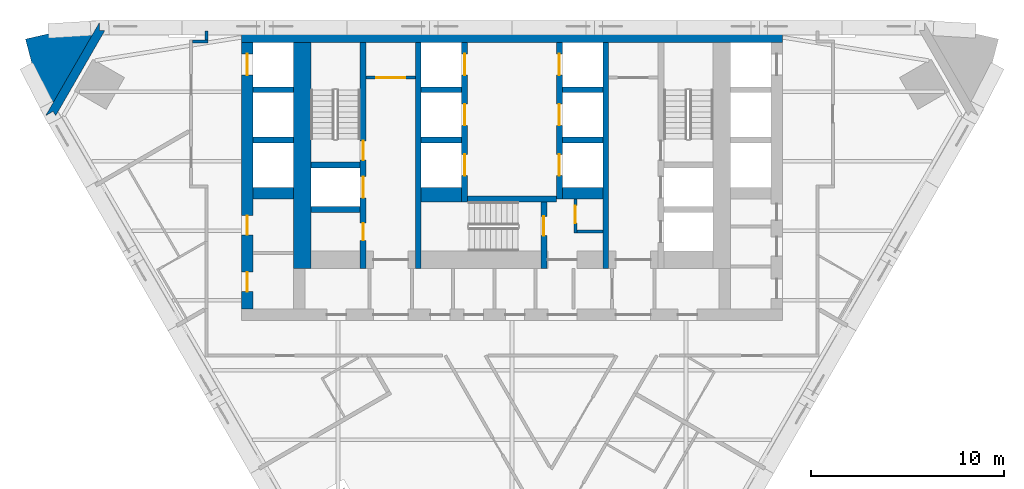
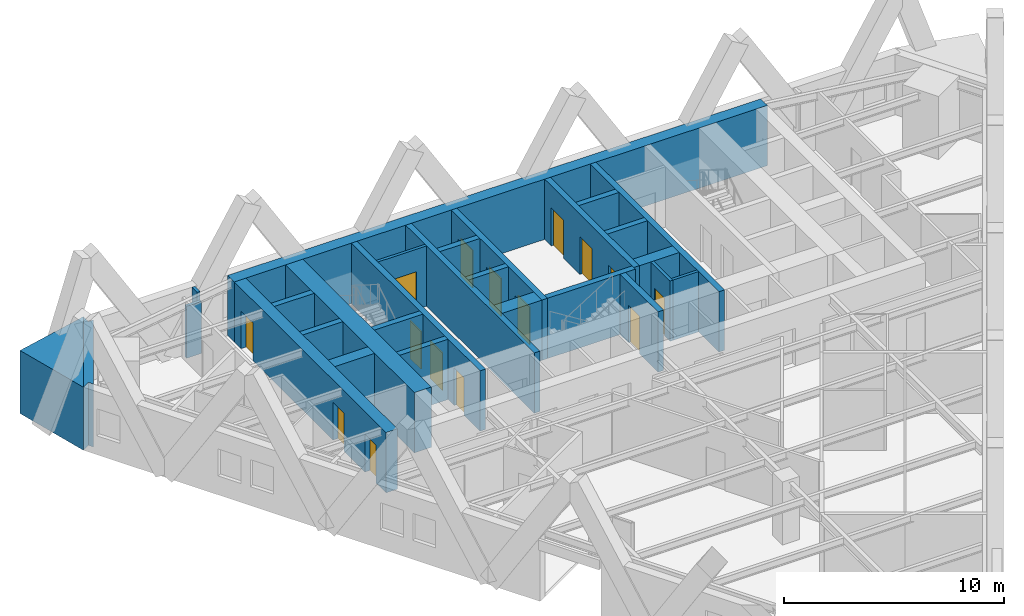
# One storey, part 9 of 12: 28 walls, 15 doors, 15 openings.
"""IFC4 building model written with IfcOpenShell, lengths in metres."""

from ifc_helpers import new_model, si_unit, direction, frame, frame_2d, origin, place, context, subcontext, project, spatial, polyline, rectangle, outline, extrude, material, layer, layer_set, type_object, element, fill, save


model = new_model("IFC4")

# Units and contexts
model_context = context("Model", 3, precision=1e-05, world=origin(), true_north=direction((0.0, 1.0)))
body_context = subcontext(model_context, "Body", "Model", "MODEL_VIEW")
ifc_project = project(units=[si_unit("LENGTHUNIT", "METRE"), si_unit("AREAUNIT", "SQUARE_METRE"), si_unit("VOLUMEUNIT", "CUBIC_METRE"), si_unit("PLANEANGLEUNIT", "RADIAN"), si_unit("MASSUNIT", "GRAM", prefix="KILO")], contexts=[model_context])

# Site, building, storey
site_placement = place(None, origin())
site = spatial("IfcSite", under=ifc_project, at=site_placement, CompositionType="ELEMENT")
building_placement = place(site_placement, origin())
building = spatial("IfcBuilding", under=site, at=building_placement, Name="Aloe Facet Convention Tower", CompositionType="ELEMENT")
storey_placement = place(building_placement, frame((0.0, 0.0, 102.800048828125)))
storey = spatial("IfcBuildingStorey", under=building, at=storey_placement, Name="L25", CompositionType="ELEMENT", Elevation=102.800048828125)

# Wall, opening, door
ifc_material_1 = material(Name="Concrete blockwork partition", Category="masonry")
ifc_layer_1 = layer(ifc_material_1, 0.14990234375)
ifc_layer_set_1 = layer_set([ifc_layer_1], Name="CR-W-PART150")
wall_type_1 = type_object("IfcWallType", Name="CR-W-PART150", PredefinedType="PARTITIONING", material=ifc_layer_set_1)
wall_1_placement = place(storey_placement, frame((72.449951171875, 132.125, 0.0), z_axis=(0.0, 0.0, 1.0), x_axis=(1.0, 0.0, 0.0)))
wall_1 = element("IfcWall", 1, at=wall_1_placement, inside=storey, type_object=wall_type_1, Name="Core partition L25-014", PredefinedType="PARTITIONING", context=body_context, shape_type="SweptSolid", body=[
    extrude(rectangle(XDim=2.550048828125, YDim=0.14990234375, at=frame_2d((1.27490234375, 0.0))), origin(), (0.0, 0.0, 1.0), 3.349853515625),
])
opening_1_placement = place(wall_1_placement, frame((0.52490234375, 0.0, 0.0)))
opening_1 = element("IfcOpeningElement", 2, at=opening_1_placement, cuts=wall_1, Name="Opening L25-CD22", PredefinedType="OPENING", context=body_context, shape_type="SweptSolid", body=[
    extrude(rectangle(XDim=1.5, YDim=2.10009765625, at=frame_2d((0.75, 1.050048828125))), frame((0.0, 0.0849609375, 0.0), z_axis=(0.0, -1.0, 0.0), x_axis=(1.0, 0.0, 0.0)), (0.0, 0.0, 1.0), 0.169921875),
])
ifc_material_2 = material(Name="Steel fire-resisting door set FD60", Category="steel")
door_type_1 = type_object("IfcDoorType", Name="CR-D-REFUGE-1500-FD60-DD", OperationType="DOUBLE_DOOR_DOUBLE_SWING", PredefinedType="DOOR", material=ifc_material_2)
door_1_placement = place(opening_1_placement, origin())
door_1 = element("IfcDoor", 3, at=door_1_placement, inside=storey, type_object=door_type_1, Name="Core door L25-CD22", OperationType="DOUBLE_DOOR_DOUBLE_SWING", OverallHeight=2.10009765625, OverallWidth=1.5, PredefinedType="DOOR", context=body_context, shape_type="SweptSolid", body=[
    extrude(rectangle(XDim=1.5, YDim=2.10009765625, at=frame_2d((0.75, 1.050048828125))), frame((0.0, 0.02490234375, 0.0), z_axis=(0.0, -1.0, 0.0), x_axis=(1.0, 0.0, 0.0)), (0.0, 0.0, 1.0), 0.050048828125),
])
fill(opening_1, door_1)

wall_2_placement = place(storey_placement, frame((83.27490234375, 125.85009765625, 0.0), z_axis=(0.0, 0.0, 1.0), x_axis=(0.0, -1.0, 0.0)))
wall_2 = element("IfcWall", 4, at=wall_2_placement, inside=storey, type_object=wall_type_1, Name="Core partition L25-035", PredefinedType="PARTITIONING", context=body_context, shape_type="SweptSolid", body=[
    extrude(rectangle(XDim=1.75, YDim=0.14990234375, at=frame_2d((0.875, 0.0))), origin(), (0.0, 0.0, 1.0), 3.349853515625),
])
opening_2_placement = place(wall_2_placement, frame((0.35009765625, 0.0, 0.0)))
opening_2 = element("IfcOpeningElement", 5, at=opening_2_placement, cuts=wall_2, Name="Opening L25-CD20", PredefinedType="OPENING", context=body_context, shape_type="SweptSolid", body=[
    extrude(rectangle(XDim=0.89990234375, YDim=2.10009765625, at=frame_2d((0.449951171875, 1.050048828125))), frame((0.0, 0.0849609375, 0.0), z_axis=(0.0, -1.0, 0.0), x_axis=(1.0, 0.0, 0.0)), (0.0, 0.0, 1.0), 0.169921875),
])
ifc_material_3 = material(Name="Steel fire-resisting door set FD60", Category="steel")
door_type_2 = type_object("IfcDoorType", Name="CR-D-REFUGE-900-FD60-SRIGHT", OperationType="SINGLE_SWING_RIGHT", PredefinedType="DOOR", material=ifc_material_3)
door_2_placement = place(opening_2_placement, origin())
door_2 = element("IfcDoor", 6, at=door_2_placement, inside=storey, type_object=door_type_2, Name="Core door L25-CD20", OperationType="SINGLE_SWING_RIGHT", OverallHeight=2.10009765625, OverallWidth=0.89990234375, PredefinedType="DOOR", context=body_context, shape_type="SweptSolid", body=[
    extrude(rectangle(XDim=0.89990234375, YDim=2.10009765625, at=frame_2d((0.449951171875, 1.050048828125))), frame((0.0, 0.02490234375, 0.0), z_axis=(0.0, -1.0, 0.0), x_axis=(1.0, 0.0, 0.0)), (0.0, 0.0, 1.0), 0.050048828125),
])
fill(opening_2, door_2)

# Walls
wall_3_placement = place(storey_placement, frame((83.35009765625, 124.175048828125, 0.0), z_axis=(0.0, 0.0, 1.0), x_axis=(1.0, 0.0, 0.0)))
element("IfcWall", 7, at=wall_3_placement, inside=storey, type_object=wall_type_1, Name="Core partition L25-036", PredefinedType="PARTITIONING", context=body_context, shape_type="SweptSolid", body=[
    extrude(rectangle(XDim=1.349853515625, YDim=0.14990234375, at=frame_2d((0.6748046875, 0.0))), origin(), (0.0, 0.0, 1.0), 3.349853515625),
])
ifc_material_4 = material(Name="Concrete C70/85", Category="concrete")
ifc_layer_2 = layer(ifc_material_4, 0.300048828125)
ifc_layer_set_2 = layer_set([ifc_layer_2], Name="CR-W-RC300-C7085")
wall_type_2 = type_object("IfcWallType", Name="CR-W-RC300-C7085", PredefinedType="SOLIDWALL", material=ifc_layer_set_2)
for number, where, z_axis, x_axis, name in (
    (8, (66.60009765625, 131.5, 0.0), (0.0, 0.0, 1.0), (1.0, 0.0, 0.0), "Core wall L25-004"),
    (9, (66.60009765625, 128.89990234375, 0.0), (0.0, 0.0, 1.0), (1.0, 0.0, 0.0), "Core wall L25-005"),
):
    element("IfcWall", number, at=place(storey_placement, frame(where, z_axis=z_axis, x_axis=x_axis)), inside=storey, type_object=wall_type_2, Name=name, PredefinedType="SOLIDWALL", context=body_context, shape_type="SweptSolid", body=[
        extrude(rectangle(XDim=2.099853515625, YDim=0.300048828125, at=frame_2d((1.0498046875, 0.0))), origin(), (0.0, 0.0, 1.0), 3.349853515625),
    ])
for number, where, z_axis, x_axis, name in (
    (10, (69.60009765625, 127.60009765625, 0.0), (0.0, 0.0, 1.0), (1.0, 0.0, 0.0), "Core wall L25-010"),
    (11, (69.60009765625, 125.300048828125, 0.0), (0.0, 0.0, 1.0), (1.0, 0.0, 0.0), "Core wall L25-011"),
):
    element("IfcWall", number, at=place(storey_placement, frame(where, z_axis=z_axis, x_axis=x_axis)), inside=storey, type_object=wall_type_2, Name=name, PredefinedType="SOLIDWALL", context=body_context, shape_type="SweptSolid", body=[
        extrude(rectangle(XDim=2.5498046875, YDim=0.300048828125, at=frame_2d((1.27490234375, 0.0))), origin(), (0.0, 0.0, 1.0), 3.349853515625),
    ])

# Wall, openings, doors
wall_4_placement = place(storey_placement, frame((72.300048828125, 133.949951171875, 0.0), z_axis=(0.0, 0.0, 1.0), x_axis=(0.0, -1.0, 0.0)))
wall_4 = element("IfcWall", 12, at=wall_4_placement, inside=storey, type_object=wall_type_2, Name="Core wall L25-013", PredefinedType="SOLIDWALL", context=body_context, shape_type="SweptSolid", body=[
    extrude(rectangle(XDim=11.699951171875, YDim=0.300048828125, at=frame_2d((5.85009765625, 0.0))), origin(), (0.0, 0.0, 1.0), 3.349853515625),
])
opening_3_placement = place(wall_4_placement, frame((6.949951171875, 0.0, 0.0)))
opening_3 = element("IfcOpeningElement", 13, at=opening_3_placement, cuts=wall_4, Name="Opening LD-FF1-L25", PredefinedType="OPENING", context=body_context, shape_type="SweptSolid", body=[
    extrude(rectangle(XDim=1.10009765625, YDim=2.10009765625, at=frame_2d((0.550048828125, 1.050048828125))), frame((0.0, 0.16015625, 0.0), z_axis=(0.0, -1.0, 0.0), x_axis=(1.0, 0.0, 0.0)), (0.0, 0.0, 1.0), 0.320068359375),
])
opening_4_placement = place(wall_4_placement, frame((9.35009765625, 0.0, 0.0)))
opening_4 = element("IfcOpeningElement", 14, at=opening_4_placement, cuts=wall_4, Name="Opening L25-CD23", PredefinedType="OPENING", context=body_context, shape_type="SweptSolid", body=[
    extrude(rectangle(XDim=0.89990234375, YDim=2.10009765625, at=frame_2d((0.449951171875, 1.050048828125))), frame((0.0, 0.16015625, 0.0), z_axis=(0.0, -1.0, 0.0), x_axis=(1.0, 0.0, 0.0)), (0.0, 0.0, 1.0), 0.320068359375),
])
opening_5_placement = place(wall_4_placement, frame((5.10009765625, 0.0, 0.0)))
opening_5 = element("IfcOpeningElement", 15, at=opening_5_placement, cuts=wall_4, Name="Opening L25-CD30", PredefinedType="OPENING", context=body_context, shape_type="SweptSolid", body=[
    extrude(rectangle(XDim=1.0, YDim=2.10009765625, at=frame_2d((0.5, 1.050048828125))), frame((0.0, 0.16015625, 0.0), z_axis=(0.0, -1.0, 0.0), x_axis=(1.0, 0.0, 0.0)), (0.0, 0.0, 1.0), 0.320068359375),
])
ifc_material_5 = material(Name="Steel fire-resisting door set FD60", Category="steel")
door_type_3 = type_object("IfcDoorType", Name="CR-D-ROOM-900-FD60-SLEFT", OperationType="SINGLE_SWING_LEFT", PredefinedType="DOOR", material=ifc_material_5)
door_3_placement = place(opening_4_placement, origin())
door_3 = element("IfcDoor", 16, at=door_3_placement, inside=storey, type_object=door_type_3, Name="Core door L25-CD23", OperationType="SINGLE_SWING_LEFT", OverallHeight=2.10009765625, OverallWidth=0.89990234375, PredefinedType="DOOR", context=body_context, shape_type="SweptSolid", body=[
    extrude(rectangle(XDim=0.89990234375, YDim=2.10009765625, at=frame_2d((0.449951171875, 1.050048828125))), frame((0.0, 0.02490234375, 0.0), z_axis=(0.0, -1.0, 0.0), x_axis=(1.0, 0.0, 0.0)), (0.0, 0.0, 1.0), 0.050048828125),
])
fill(opening_4, door_3)
ifc_material_6 = material(Name="Steel fire-resisting door set FD120", Category="steel")
door_type_4 = type_object("IfcDoorType", Name="CR-D-STAIR-1000-FD120-SRIGHT", OperationType="SINGLE_SWING_RIGHT", PredefinedType="DOOR", material=ifc_material_6)
door_4_placement = place(opening_5_placement, origin())
door_4 = element("IfcDoor", 17, at=door_4_placement, inside=storey, type_object=door_type_4, Name="Core door L25-CD30", OperationType="SINGLE_SWING_RIGHT", OverallHeight=2.10009765625, OverallWidth=1.0, PredefinedType="DOOR", context=body_context, shape_type="SweptSolid", body=[
    extrude(rectangle(XDim=1.0, YDim=2.10009765625, at=frame_2d((0.5, 1.050048828125))), frame((0.0, 0.02490234375, 0.0), z_axis=(0.0, -1.0, 0.0), x_axis=(1.0, 0.0, 0.0)), (0.0, 0.0, 1.0), 0.050048828125),
])
fill(opening_5, door_4)
ifc_material_7 = material(Name="Stainless steel sliding landing door", Category="steel")
door_type_5 = type_object("IfcDoorType", Name="CR-LD-1100-FD120-_LEFT", OperationType="SLIDING_TO_LEFT", PredefinedType="DOOR", material=ifc_material_7)
door_5_placement = place(opening_3_placement, origin())
door_5 = element("IfcDoor", 18, at=door_5_placement, inside=storey, type_object=door_type_5, Name="Landing door FF1 L25", OperationType="SLIDING_TO_LEFT", OverallHeight=2.10009765625, OverallWidth=1.10009765625, PredefinedType="DOOR", context=body_context, shape_type="SweptSolid", body=[
    extrude(rectangle(XDim=1.10009765625, YDim=2.10009765625, at=frame_2d((0.550048828125, 1.050048828125))), frame((0.0, 0.02490234375, 0.0), z_axis=(0.0, -1.0, 0.0), x_axis=(1.0, 0.0, 0.0)), (0.0, 0.0, 1.0), 0.050048828125),
])
fill(opening_3, door_5)

# Walls
wall_5_placement = place(storey_placement, frame((75.14990234375, 133.949951171875, 0.0), z_axis=(0.0, 0.0, 1.0), x_axis=(0.0, -1.0, 0.0)))
element("IfcWall", 19, at=wall_5_placement, inside=storey, type_object=wall_type_2, Name="Core wall L25-018", PredefinedType="SOLIDWALL", context=body_context, shape_type="SweptSolid", body=[
    extrude(rectangle(XDim=11.699951171875, YDim=0.300048828125, at=frame_2d((5.85009765625, 0.0))), origin(), (0.0, 0.0, 1.0), 3.349853515625),
])
for number, where, z_axis, x_axis, name in (
    (20, (75.300048828125, 131.5, 0.0), (0.0, 0.0, 1.0), (1.0, 0.0, 0.0), "Core wall L25-019"),
    (21, (75.300048828125, 128.89990234375, 0.0), (0.0, 0.0, 1.0), (1.0, 0.0, 0.0), "Core wall L25-020"),
):
    element("IfcWall", number, at=place(storey_placement, frame(where, z_axis=z_axis, x_axis=x_axis)), inside=storey, type_object=wall_type_2, Name=name, PredefinedType="SOLIDWALL", context=body_context, shape_type="SweptSolid", body=[
        extrude(rectangle(XDim=2.099853515625, YDim=0.300048828125, at=frame_2d((1.0498046875, 0.0))), origin(), (0.0, 0.0, 1.0), 3.349853515625),
    ])

# Wall, openings, doors
wall_6_placement = place(storey_placement, frame((77.550048828125, 133.949951171875, 0.0), z_axis=(0.0, 0.0, 1.0), x_axis=(0.0, -1.0, 0.0)))
wall_6 = element("IfcWall", 22, at=wall_6_placement, inside=storey, type_object=wall_type_2, Name="Core wall L25-024", PredefinedType="SOLIDWALL", context=body_context, shape_type="SweptSolid", body=[
    extrude(rectangle(XDim=8.25, YDim=0.300048828125, at=frame_2d((4.125, 0.0))), origin(), (0.0, 0.0, 1.0), 3.349853515625),
])
opening_6_placement = place(wall_6_placement, frame((0.60009765625, 0.0, 0.0)))
opening_6 = element("IfcOpeningElement", 23, at=opening_6_placement, cuts=wall_6, Name="Opening LD-A1-L25", PredefinedType="OPENING", context=body_context, shape_type="SweptSolid", body=[
    extrude(rectangle(XDim=1.10009765625, YDim=2.10009765625, at=frame_2d((0.550048828125, 1.050048828125))), frame((0.0, 0.16015625, 0.0), z_axis=(0.0, -1.0, 0.0), x_axis=(1.0, 0.0, 0.0)), (0.0, 0.0, 1.0), 0.320068359375),
])
opening_7_placement = place(wall_6_placement, frame((3.199951171875, 0.0, 0.0)))
opening_7 = element("IfcOpeningElement", 24, at=opening_7_placement, cuts=wall_6, Name="Opening LD-A2-L25", PredefinedType="OPENING", context=body_context, shape_type="SweptSolid", body=[
    extrude(rectangle(XDim=1.10009765625, YDim=2.10009765625, at=frame_2d((0.550048828125, 1.050048828125))), frame((0.0, 0.16015625, 0.0), z_axis=(0.0, -1.0, 0.0), x_axis=(1.0, 0.0, 0.0)), (0.0, 0.0, 1.0), 0.320068359375),
])
opening_8_placement = place(wall_6_placement, frame((5.800048828125, 0.0, 0.0)))
opening_8 = element("IfcOpeningElement", 25, at=opening_8_placement, cuts=wall_6, Name="Opening LD-A3-L25", PredefinedType="OPENING", context=body_context, shape_type="SweptSolid", body=[
    extrude(rectangle(XDim=1.10009765625, YDim=2.10009765625, at=frame_2d((0.550048828125, 1.050048828125))), frame((0.0, 0.16015625, 0.0), z_axis=(0.0, -1.0, 0.0), x_axis=(1.0, 0.0, 0.0)), (0.0, 0.0, 1.0), 0.320068359375),
])
ifc_material_8 = material(Name="Stainless steel sliding landing door", Category="steel")
door_type_6 = type_object("IfcDoorType", Name="CR-LD-1100-FD60-RIGHT", OperationType="SLIDING_TO_RIGHT", PredefinedType="DOOR", material=ifc_material_8)
door_6_placement = place(opening_6_placement, origin())
door_6 = element("IfcDoor", 26, at=door_6_placement, inside=storey, type_object=door_type_6, Name="Landing door A1 L25", OperationType="SLIDING_TO_RIGHT", OverallHeight=2.10009765625, OverallWidth=1.10009765625, PredefinedType="DOOR", context=body_context, shape_type="SweptSolid", body=[
    extrude(rectangle(XDim=1.10009765625, YDim=2.10009765625, at=frame_2d((0.550048828125, 1.050048828125))), frame((0.0, 0.02490234375, 0.0), z_axis=(0.0, -1.0, 0.0), x_axis=(1.0, 0.0, 0.0)), (0.0, 0.0, 1.0), 0.050048828125),
])
fill(opening_6, door_6)
door_7_placement = place(opening_7_placement, origin())
door_7 = element("IfcDoor", 27, at=door_7_placement, inside=storey, type_object=door_type_6, Name="Landing door A2 L25", OperationType="SLIDING_TO_RIGHT", OverallHeight=2.10009765625, OverallWidth=1.10009765625, PredefinedType="DOOR", context=body_context, shape_type="SweptSolid", body=[
    extrude(rectangle(XDim=1.10009765625, YDim=2.10009765625, at=frame_2d((0.550048828125, 1.050048828125))), frame((0.0, 0.02490234375, 0.0), z_axis=(0.0, -1.0, 0.0), x_axis=(1.0, 0.0, 0.0)), (0.0, 0.0, 1.0), 0.050048828125),
])
fill(opening_7, door_7)
door_8_placement = place(opening_8_placement, origin())
door_8 = element("IfcDoor", 28, at=door_8_placement, inside=storey, type_object=door_type_6, Name="Landing door A3 L25", OperationType="SLIDING_TO_RIGHT", OverallHeight=2.10009765625, OverallWidth=1.10009765625, PredefinedType="DOOR", context=body_context, shape_type="SweptSolid", body=[
    extrude(rectangle(XDim=1.10009765625, YDim=2.10009765625, at=frame_2d((0.550048828125, 1.050048828125))), frame((0.0, 0.02490234375, 0.0), z_axis=(0.0, -1.0, 0.0), x_axis=(1.0, 0.0, 0.0)), (0.0, 0.0, 1.0), 0.050048828125),
])
fill(opening_8, door_8)

# Wall
wall_7_placement = place(storey_placement, frame((77.699951171875, 125.85009765625, 0.0), z_axis=(0.0, 0.0, 1.0), x_axis=(1.0, 0.0, 0.0)))
element("IfcWall", 29, at=wall_7_placement, inside=storey, type_object=wall_type_2, Name="Core wall L25-025", PredefinedType="SOLIDWALL", context=body_context, shape_type="SweptSolid", body=[
    extrude(rectangle(XDim=4.60009765625, YDim=0.300048828125, at=frame_2d((2.300048828125, 0.0))), origin(), (0.0, 0.0, 1.0), 3.349853515625),
])

# Wall, opening, door
wall_8_placement = place(storey_placement, frame((81.64990234375, 125.699951171875, 0.0), z_axis=(0.0, 0.0, 1.0), x_axis=(0.0, -1.0, 0.0)))
wall_8 = element("IfcWall", 30, at=wall_8_placement, inside=storey, type_object=wall_type_2, Name="Core wall L25-028", PredefinedType="SOLIDWALL", context=body_context, shape_type="SweptSolid", body=[
    extrude(rectangle(XDim=3.449951171875, YDim=0.300048828125, at=frame_2d((1.72509765625, 0.0))), origin(), (0.0, 0.0, 1.0), 3.349853515625),
])
opening_9_placement = place(wall_8_placement, frame((0.75, 0.0, 0.0)))
opening_9 = element("IfcOpeningElement", 31, at=opening_9_placement, cuts=wall_8, Name="Opening L25-CD32", PredefinedType="OPENING", context=body_context, shape_type="SweptSolid", body=[
    extrude(rectangle(XDim=1.0, YDim=2.10009765625, at=frame_2d((0.5, 1.050048828125))), frame((0.0, 0.16015625, 0.0), z_axis=(0.0, -1.0, 0.0), x_axis=(1.0, 0.0, 0.0)), (0.0, 0.0, 1.0), 0.320068359375),
])
ifc_material_9 = material(Name="Steel fire-resisting door set FD120", Category="steel")
door_type_7 = type_object("IfcDoorType", Name="CR-D-STAIR-1000-FD120-SLEFT", OperationType="SINGLE_SWING_LEFT", PredefinedType="DOOR", material=ifc_material_9)
door_9_placement = place(opening_9_placement, origin())
door_9 = element("IfcDoor", 32, at=door_9_placement, inside=storey, type_object=door_type_7, Name="Core door L25-CD32", OperationType="SINGLE_SWING_LEFT", OverallHeight=2.10009765625, OverallWidth=1.0, PredefinedType="DOOR", context=body_context, shape_type="SweptSolid", body=[
    extrude(rectangle(XDim=1.0, YDim=2.10009765625, at=frame_2d((0.5, 1.050048828125))), frame((0.0, 0.02490234375, 0.0), z_axis=(0.0, -1.0, 0.0), x_axis=(1.0, 0.0, 0.0)), (0.0, 0.0, 1.0), 0.050048828125),
])
fill(opening_9, door_9)

# Wall, openings, doors
wall_9_placement = place(storey_placement, frame((82.449951171875, 133.949951171875, 0.0), z_axis=(0.0, 0.0, 1.0), x_axis=(0.0, -1.0, 0.0)))
wall_9 = element("IfcWall", 33, at=wall_9_placement, inside=storey, type_object=wall_type_2, Name="Core wall L25-030", PredefinedType="SOLIDWALL", context=body_context, shape_type="SweptSolid", body=[
    extrude(rectangle(XDim=8.099853515625, YDim=0.300048828125, at=frame_2d((4.0498046875, 0.0))), origin(), (0.0, 0.0, 1.0), 3.349853515625),
])
opening_10_placement = place(wall_9_placement, frame((0.60009765625, 0.0, 0.0)))
opening_10 = element("IfcOpeningElement", 34, at=opening_10_placement, cuts=wall_9, Name="Opening LD-A4-L25", PredefinedType="OPENING", context=body_context, shape_type="SweptSolid", body=[
    extrude(rectangle(XDim=1.10009765625, YDim=2.10009765625, at=frame_2d((0.550048828125, 1.050048828125))), frame((0.0, 0.16015625, 0.0), z_axis=(0.0, -1.0, 0.0), x_axis=(1.0, 0.0, 0.0)), (0.0, 0.0, 1.0), 0.320068359375),
])
opening_11_placement = place(wall_9_placement, frame((3.199951171875, 0.0, 0.0)))
opening_11 = element("IfcOpeningElement", 35, at=opening_11_placement, cuts=wall_9, Name="Opening LD-A5-L25", PredefinedType="OPENING", context=body_context, shape_type="SweptSolid", body=[
    extrude(rectangle(XDim=1.10009765625, YDim=2.10009765625, at=frame_2d((0.550048828125, 1.050048828125))), frame((0.0, 0.16015625, 0.0), z_axis=(0.0, -1.0, 0.0), x_axis=(1.0, 0.0, 0.0)), (0.0, 0.0, 1.0), 0.320068359375),
])
opening_12_placement = place(wall_9_placement, frame((5.800048828125, 0.0, 0.0)))
opening_12 = element("IfcOpeningElement", 36, at=opening_12_placement, cuts=wall_9, Name="Opening LD-A6-L25", PredefinedType="OPENING", context=body_context, shape_type="SweptSolid", body=[
    extrude(rectangle(XDim=1.10009765625, YDim=2.10009765625, at=frame_2d((0.550048828125, 1.050048828125))), frame((0.0, 0.16015625, 0.0), z_axis=(0.0, -1.0, 0.0), x_axis=(1.0, 0.0, 0.0)), (0.0, 0.0, 1.0), 0.320068359375),
])
ifc_material_10 = material(Name="Stainless steel sliding landing door", Category="steel")
door_type_8 = type_object("IfcDoorType", Name="CR-LD-1100-FD60-_LEFT", OperationType="SLIDING_TO_LEFT", PredefinedType="DOOR", material=ifc_material_10)
door_10_placement = place(opening_10_placement, origin())
door_10 = element("IfcDoor", 37, at=door_10_placement, inside=storey, type_object=door_type_8, Name="Landing door A4 L25", OperationType="SLIDING_TO_LEFT", OverallHeight=2.10009765625, OverallWidth=1.10009765625, PredefinedType="DOOR", context=body_context, shape_type="SweptSolid", body=[
    extrude(rectangle(XDim=1.10009765625, YDim=2.10009765625, at=frame_2d((0.550048828125, 1.050048828125))), frame((0.0, 0.02490234375, 0.0), z_axis=(0.0, -1.0, 0.0), x_axis=(1.0, 0.0, 0.0)), (0.0, 0.0, 1.0), 0.050048828125),
])
fill(opening_10, door_10)
door_11_placement = place(opening_11_placement, origin())
door_11 = element("IfcDoor", 38, at=door_11_placement, inside=storey, type_object=door_type_8, Name="Landing door A5 L25", OperationType="SLIDING_TO_LEFT", OverallHeight=2.10009765625, OverallWidth=1.10009765625, PredefinedType="DOOR", context=body_context, shape_type="SweptSolid", body=[
    extrude(rectangle(XDim=1.10009765625, YDim=2.10009765625, at=frame_2d((0.550048828125, 1.050048828125))), frame((0.0, 0.02490234375, 0.0), z_axis=(0.0, -1.0, 0.0), x_axis=(1.0, 0.0, 0.0)), (0.0, 0.0, 1.0), 0.050048828125),
])
fill(opening_11, door_11)
door_12_placement = place(opening_12_placement, origin())
door_12 = element("IfcDoor", 39, at=door_12_placement, inside=storey, type_object=door_type_8, Name="Landing door A6 L25", OperationType="SLIDING_TO_LEFT", OverallHeight=2.10009765625, OverallWidth=1.10009765625, PredefinedType="DOOR", context=body_context, shape_type="SweptSolid", body=[
    extrude(rectangle(XDim=1.10009765625, YDim=2.10009765625, at=frame_2d((0.550048828125, 1.050048828125))), frame((0.0, 0.02490234375, 0.0), z_axis=(0.0, -1.0, 0.0), x_axis=(1.0, 0.0, 0.0)), (0.0, 0.0, 1.0), 0.050048828125),
])
fill(opening_12, door_12)

# Walls
for number, where, z_axis, x_axis, name in (
    (40, (82.60009765625, 131.5, 0.0), (0.0, 0.0, 1.0), (1.0, 0.0, 0.0), "Core wall L25-031"),
    (41, (82.60009765625, 128.89990234375, 0.0), (0.0, 0.0, 1.0), (1.0, 0.0, 0.0), "Core wall L25-032"),
):
    element("IfcWall", number, at=place(storey_placement, frame(where, z_axis=z_axis, x_axis=x_axis)), inside=storey, type_object=wall_type_2, Name=name, PredefinedType="SOLIDWALL", context=body_context, shape_type="SweptSolid", body=[
        extrude(rectangle(XDim=2.099853515625, YDim=0.300048828125, at=frame_2d((1.0498046875, 0.0))), origin(), (0.0, 0.0, 1.0), 3.349853515625),
    ])
wall_10_placement = place(storey_placement, frame((84.85009765625, 133.949951171875, 0.0), z_axis=(0.0, 0.0, 1.0), x_axis=(0.0, -1.0, 0.0)))
element("IfcWall", 42, at=wall_10_placement, inside=storey, type_object=wall_type_2, Name="Core wall L25-037", PredefinedType="SOLIDWALL", context=body_context, shape_type="SweptSolid", body=[
    extrude(rectangle(XDim=11.699951171875, YDim=0.300048828125, at=frame_2d((5.85009765625, 0.0))), origin(), (0.0, 0.0, 1.0), 3.349853515625),
])
ifc_material_11 = material(Name="Concrete C70/85", Category="concrete")
ifc_layer_3 = layer(ifc_material_11, 0.60009765625)
ifc_layer_set_3 = layer_set([ifc_layer_3], Name="CR-W-RC600-C7085")
wall_type_3 = type_object("IfcWallType", Name="CR-W-RC600-C7085", PredefinedType="SOLIDWALL", material=ifc_layer_set_3)
wall_11_placement = place(storey_placement, frame((66.0, 134.25, 0.0), z_axis=(0.0, 0.0, 1.0), x_axis=(1.0, 0.0, 0.0)))
element("IfcWall", 43, at=wall_11_placement, inside=storey, type_object=wall_type_3, Name="Core wall L25-001", PredefinedType="SOLIDWALL", context=body_context, shape_type="SweptSolid", body=[
    extrude(rectangle(XDim=28.0, YDim=0.60009765625, at=frame_2d((14.0, 0.0))), origin(), (0.0, 0.0, 1.0), 3.349853515625),
])

# Wall, openings, doors
wall_12_placement = place(storey_placement, frame((66.300048828125, 133.949951171875, 0.0), z_axis=(0.0, 0.0, 1.0), x_axis=(0.0, -1.0, 0.0)))
wall_12 = element("IfcWall", 44, at=wall_12_placement, inside=storey, type_object=wall_type_3, Name="Core wall L25-002", PredefinedType="SOLIDWALL", context=body_context, shape_type="SweptSolid", body=[
    extrude(rectangle(XDim=13.800048828125, YDim=0.60009765625, at=frame_2d((6.89990234375, 0.0))), origin(), (0.0, 0.0, 1.0), 3.349853515625),
])
opening_13_placement = place(wall_12_placement, frame((0.60009765625, 0.0, 0.0)))
opening_13 = element("IfcOpeningElement", 45, at=opening_13_placement, cuts=wall_12, Name="Opening LD-A7-L25", PredefinedType="OPENING", context=body_context, shape_type="SweptSolid", body=[
    extrude(rectangle(XDim=1.10009765625, YDim=2.10009765625, at=frame_2d((0.550048828125, 1.050048828125))), frame((0.0, 0.31005859375, 0.0), z_axis=(0.0, -1.0, 0.0), x_axis=(1.0, 0.0, 0.0)), (0.0, 0.0, 1.0), 0.6201171875),
])
opening_14_placement = place(wall_12_placement, frame((8.963134765625, 0.0, 0.0)))
opening_14 = element("IfcOpeningElement", 46, at=opening_14_placement, cuts=wall_12, Name="Opening L25-CD34", PredefinedType="OPENING", context=body_context, shape_type="SweptSolid", body=[
    extrude(rectangle(XDim=1.0, YDim=2.10009765625, at=frame_2d((0.5, 1.050048828125))), frame((0.0, 0.31005859375, 0.0), z_axis=(0.0, -1.0, 0.0), x_axis=(1.0, 0.0, 0.0)), (0.0, 0.0, 1.0), 0.6201171875),
])
opening_15_placement = place(wall_12_placement, frame((11.88818359375, 0.0, 0.0)))
opening_15 = element("IfcOpeningElement", 47, at=opening_15_placement, cuts=wall_12, Name="Opening L25-CD35", PredefinedType="OPENING", context=body_context, shape_type="SweptSolid", body=[
    extrude(rectangle(XDim=1.0, YDim=2.10009765625, at=frame_2d((0.5, 1.050048828125))), frame((0.0, 0.31005859375, 0.0), z_axis=(0.0, -1.0, 0.0), x_axis=(1.0, 0.0, 0.0)), (0.0, 0.0, 1.0), 0.6201171875),
])
ifc_material_12 = material(Name="Steel fire-resisting door set FD60", Category="steel")
door_type_9 = type_object("IfcDoorType", Name="CR-D-ROOM-1000-FD60-SLEFT", OperationType="SINGLE_SWING_LEFT", PredefinedType="DOOR", material=ifc_material_12)
door_13_placement = place(opening_14_placement, origin())
door_13 = element("IfcDoor", 48, at=door_13_placement, inside=storey, type_object=door_type_9, Name="Core door L25-CD34", OperationType="SINGLE_SWING_LEFT", OverallHeight=2.10009765625, OverallWidth=1.0, PredefinedType="DOOR", context=body_context, shape_type="SweptSolid", body=[
    extrude(rectangle(XDim=1.0, YDim=2.10009765625, at=frame_2d((0.5, 1.050048828125))), frame((0.0, 0.02490234375, 0.0), z_axis=(0.0, -1.0, 0.0), x_axis=(1.0, 0.0, 0.0)), (0.0, 0.0, 1.0), 0.050048828125),
])
fill(opening_14, door_13)
door_14_placement = place(opening_15_placement, origin())
door_14 = element("IfcDoor", 49, at=door_14_placement, inside=storey, type_object=door_type_9, Name="Core door L25-CD35", OperationType="SINGLE_SWING_LEFT", OverallHeight=2.10009765625, OverallWidth=1.0, PredefinedType="DOOR", context=body_context, shape_type="SweptSolid", body=[
    extrude(rectangle(XDim=1.0, YDim=2.10009765625, at=frame_2d((0.5, 1.050048828125))), frame((0.0, 0.02490234375, 0.0), z_axis=(0.0, -1.0, 0.0), x_axis=(1.0, 0.0, 0.0)), (0.0, 0.0, 1.0), 0.050048828125),
])
fill(opening_15, door_14)
door_15_placement = place(opening_13_placement, origin())
door_15 = element("IfcDoor", 50, at=door_15_placement, inside=storey, type_object=door_type_8, Name="Landing door A7 L25", OperationType="SLIDING_TO_LEFT", OverallHeight=2.10009765625, OverallWidth=1.10009765625, PredefinedType="DOOR", context=body_context, shape_type="SweptSolid", body=[
    extrude(rectangle(XDim=1.10009765625, YDim=2.10009765625, at=frame_2d((0.550048828125, 1.050048828125))), frame((0.0, 0.02490234375, 0.0), z_axis=(0.0, -1.0, 0.0), x_axis=(1.0, 0.0, 0.0)), (0.0, 0.0, 1.0), 0.050048828125),
])
fill(opening_13, door_15)

# Walls
for number, where, z_axis, x_axis, name in (
    (51, (66.60009765625, 126.14990234375, 0.0), (0.0, 0.0, 1.0), (1.0, 0.0, 0.0), "Core wall L25-006"),
    (52, (82.60009765625, 126.14990234375, 0.0), (0.0, 0.0, 1.0), (1.0, 0.0, 0.0), "Core wall L25-033"),
):
    element("IfcWall", number, at=place(storey_placement, frame(where, z_axis=z_axis, x_axis=x_axis)), inside=storey, type_object=wall_type_3, Name=name, PredefinedType="SOLIDWALL", context=body_context, shape_type="SweptSolid", body=[
        extrude(rectangle(XDim=2.099853515625, YDim=0.60009765625, at=frame_2d((1.0498046875, 0.0))), origin(), (0.0, 0.0, 1.0), 3.349853515625),
    ])
ifc_material_13 = material(Name="Concrete C70/85", Category="concrete")
ifc_layer_4 = layer(ifc_material_13, 0.75)
ifc_layer_set_4 = layer_set([ifc_layer_4], Name="CR-W-RC750-C7085")
wall_type_4 = type_object("IfcWallType", Name="CR-W-RC750-C7085", PredefinedType="SOLIDWALL", material=ifc_layer_set_4)
wall_13_placement = place(storey_placement, frame((75.300048828125, 126.074951171875, 0.0), z_axis=(0.0, 0.0, 1.0), x_axis=(1.0, 0.0, 0.0)))
element("IfcWall", 53, at=wall_13_placement, inside=storey, type_object=wall_type_4, Name="Core wall L25-021", PredefinedType="SOLIDWALL", context=body_context, shape_type="SweptSolid", body=[
    extrude(rectangle(XDim=2.099853515625, YDim=0.75, at=frame_2d((1.0498046875, 0.0))), origin(), (0.0, 0.0, 1.0), 3.349853515625),
])
ifc_material_14 = material(Name="Concrete C70/85", Category="concrete")
ifc_layer_5 = layer(ifc_material_14, 0.89990234375)
ifc_layer_set_5 = layer_set([ifc_layer_5], Name="CR-W-RC900-C7085")
wall_type_5 = type_object("IfcWallType", Name="CR-W-RC900-C7085", PredefinedType="SOLIDWALL", material=ifc_layer_set_5)
wall_14_placement = place(storey_placement, frame((69.14990234375, 133.949951171875, 0.0), z_axis=(0.0, 0.0, 1.0), x_axis=(0.0, -1.0, 0.0)))
element("IfcWall", 54, at=wall_14_placement, inside=storey, type_object=wall_type_5, Name="Core wall L25-008", PredefinedType="SOLIDWALL", context=body_context, shape_type="SweptSolid", body=[
    extrude(rectangle(XDim=11.699951171875, YDim=0.89990234375, at=frame_2d((5.85009765625, 0.0))), origin(), (0.0, 0.0, 1.0), 3.349853515625),
])
ifc_material_15 = material(Name="Precast concrete C40/50", Category="concrete")
ifc_layer_6 = layer(ifc_material_15, 0.449951171875)
ifc_layer_set_6 = layer_set([ifc_layer_6], Name="EV-WALL-PIER")
wall_type_6 = type_object("IfcWallType", Name="EV-WALL-PIER", PredefinedType="SOLIDWALL", material=ifc_layer_set_6)
wall_15_placement = place(storey_placement, frame((0.0, 0.0, -0.150146484375)))
element("IfcWall", 55, at=wall_15_placement, inside=storey, type_object=wall_type_6, Name="EP-L25-A", PredefinedType="SOLIDWALL", context=body_context, shape_type="SweptSolid", body=[
    extrude(outline(polyline([(58.678466796875, 135.0), (58.678466796875, 134.550048828125), (58.938232421875, 134.550048828125), (56.398193359375, 130.150146484375), (56.26806640625, 130.375244140625), (55.87841796875, 130.150146484375), (58.678466796875, 135.0)])), origin(), (0.0, 0.0, 1.0), 3.5),
])
ifc_material_16 = material(Name="Precast concrete C40/50", Category="concrete")
ifc_layer_7 = layer(ifc_material_16, 3.947998046875)
ifc_layer_set_7 = layer_set([ifc_layer_7], Name="EV-WALL-SPINE")
wall_type_7 = type_object("IfcWallType", Name="EV-WALL-SPINE", PredefinedType="SOLIDWALL", material=ifc_layer_set_7)
wall_16_placement = place(storey_placement, frame((0.0, 0.0, -0.150146484375)))
element("IfcWall", 56, at=wall_16_placement, inside=storey, type_object=wall_type_7, Name="SP-NW-L25", PredefinedType="SOLIDWALL", context=body_context, shape_type="SweptSolid", body=[
    extrude(outline(polyline([(58.678466796875, 135.0), (54.83984375, 134.11572265625), (55.87841796875, 130.150146484375), (58.678466796875, 135.0)])), origin(), (0.0, 0.0, 1.0), 3.5),
])
ifc_material_17 = material(Name="Gypsum board partition on steel studs", Category="steel")
ifc_layer_8 = layer(ifc_material_17, 0.14990234375)
ifc_layer_set_8 = layer_set([ifc_layer_8], Name="IN-W-CORR")
wall_type_8 = type_object("IfcWallType", Name="IN-W-CORR", PredefinedType="PARTITIONING", material=ifc_layer_set_8)
wall_17_placement = place(storey_placement, frame((63.47509765625, 134.0, 0.0), z_axis=(0.0, 0.0, 1.0), x_axis=(1.0, 0.0, 0.0)))
element("IfcWall", 57, at=wall_17_placement, inside=storey, type_object=wall_type_8, Name="Partition L25-W068", PredefinedType="PARTITIONING", context=body_context, shape_type="SweptSolid", body=[
    extrude(rectangle(XDim=0.7998046875, YDim=0.14990234375, at=frame_2d((0.39990234375, 0.0))), origin(), (0.0, 0.0, 1.0), 2.886474609375),
])
wall_18_placement = place(storey_placement, frame((64.199951171875, 134.074951171875, 0.0), z_axis=(0.0, 0.0, 1.0), x_axis=(0.0, 1.0, 0.0)))
element("IfcWall", 58, at=wall_18_placement, inside=storey, type_object=wall_type_8, Name="Partition L25-W069", PredefinedType="PARTITIONING", context=body_context, shape_type="SweptSolid", body=[
    extrude(rectangle(XDim=0.465087890625, YDim=0.14990234375, at=frame_2d((0.232421875, 0.0))), origin(), (0.0, 0.0, 1.0), 3.349853515625),
])

save(model, "model.ifc")
